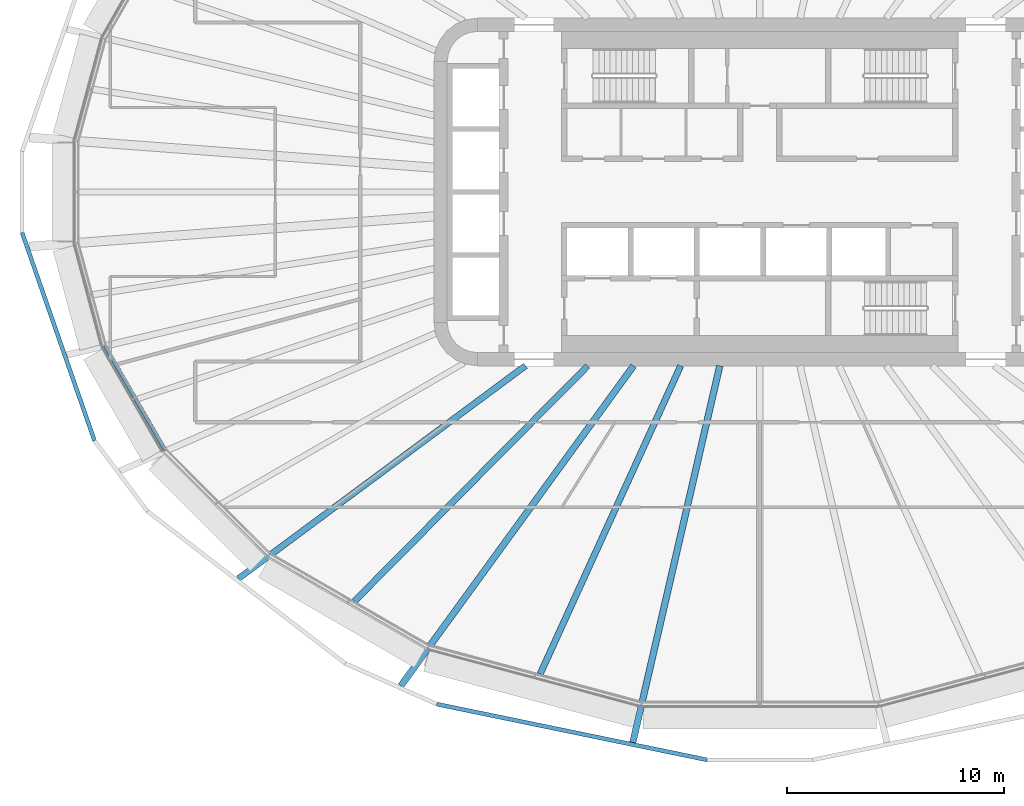
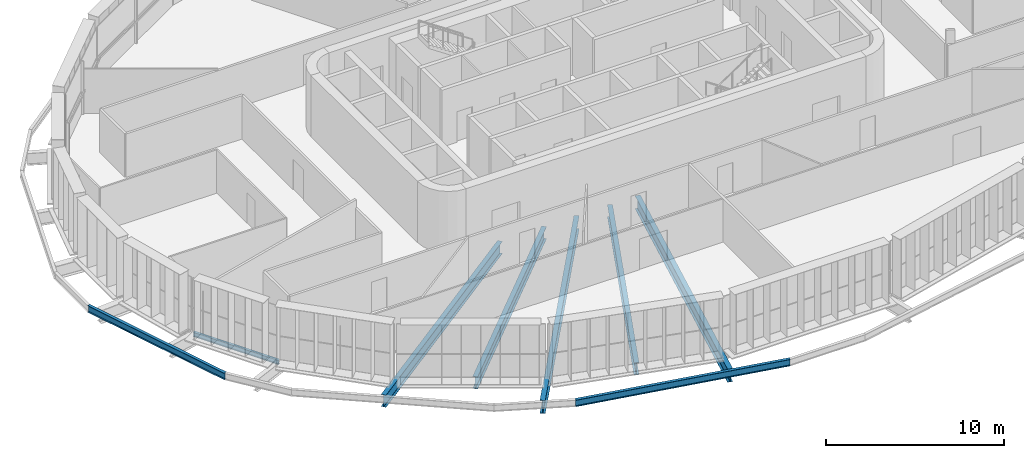
# One storey, part 2 of 25: 8 beams.
"""IFC4 building model written with IfcOpenShell, lengths in metres."""

from ifc_helpers import new_model, si_unit, direction, frame, origin, origin_2d, place, context, subcontext, project, spatial, i_section, extrude, material, material_profile, profile_set, type_object, element, save


model = new_model("IFC4")

# Units and contexts
model_context = context("Model", 3, precision=1e-05, world=origin(), true_north=direction((0.0, 1.0)))
body_context = subcontext(model_context, "Body", "Model", "MODEL_VIEW")
ifc_project = project(units=[si_unit("LENGTHUNIT", "METRE"), si_unit("AREAUNIT", "SQUARE_METRE"), si_unit("VOLUMEUNIT", "CUBIC_METRE"), si_unit("PLANEANGLEUNIT", "RADIAN"), si_unit("MASSUNIT", "GRAM", prefix="KILO")], contexts=[model_context])

# Site, building, storey
site_placement = place(None, origin())
site = spatial("IfcSite", under=ifc_project, at=site_placement, CompositionType="ELEMENT")
building_placement = place(site_placement, origin())
building = spatial("IfcBuilding", under=site, at=building_placement, Name="Sahrelin Media Tower", CompositionType="ELEMENT")
storey_placement = place(building_placement, frame((0.0, 0.0, 144.0)))
storey = spatial("IfcBuildingStorey", under=building, at=storey_placement, Name="L29", CompositionType="ELEMENT", Elevation=144.0)

# Beams
ifc_material = material(Name="Steel S355", Category="steel")
ifc_material_profile_1 = material_profile(ifc_material, i_section(OverallWidth=0.1650390625, OverallDepth=0.303466796875, WebThickness=0.006103515625, FlangeThickness=0.01025390625, FilletRadius=0.0087890625, at=origin_2d()), Name="UB 305x165x40")
ifc_profile_set_1 = profile_set([ifc_material_profile_1], Name="Steel S355")
beam_type_1 = type_object("IfcBeamType", Name="Edge beam EB2", PredefinedType="BEAM", material=ifc_profile_set_1)
beam_1_placement = place(storey_placement, frame((-27.382080078125, -11.880615234375, -0.3017578125), z_axis=(-0.500036242679, 0.866004478053, 0.0), x_axis=(-0.866004478053, -0.500036242679, 0.0)))
element("IfcBeam", 1, at=beam_1_placement, inside=storey, type_object=beam_type_1, Name="Edge beam L29-11", PredefinedType="BEAM", context=body_context, shape_type="SweptSolid", body=[
    extrude(i_section(OverallWidth=0.1650390625, OverallDepth=0.303466796875, WebThickness=0.006103515625, FlangeThickness=0.01025390625, FilletRadius=0.0087890625, at=origin_2d()), origin(), (0.0, 0.0, 1.0), 5.544921875),
])
ifc_material_profile_2 = material_profile(ifc_material, i_section(OverallWidth=0.291748046875, OverallDepth=0.8349609375, WebThickness=0.013916015625, FlangeThickness=0.018798828125, FilletRadius=0.017822265625, at=origin_2d()), Name="UB 838x292x176")
ifc_profile_set_2 = profile_set([ifc_material_profile_2], Name="Steel S355")
beam_type_2 = type_object("IfcBeamType", Name="Radial primary beam PB10", PredefinedType="BEAM", material=ifc_profile_set_2)
beam_2_placement = place(storey_placement, frame((-10.791015625, -8.0, -0.5673828125), z_axis=(-0.803315320736, -0.595553940017, 0.0), x_axis=(0.595553940017, -0.803315320736, 0.0)))
element("IfcBeam", 2, at=beam_2_placement, inside=storey, type_object=beam_type_2, Name="Radial beam L29-16", PredefinedType="BEAM", context=body_context, shape_type="SweptSolid", body=[
    extrude(i_section(OverallWidth=0.291748046875, OverallDepth=0.8349609375, WebThickness=0.013916015625, FlangeThickness=0.018798828125, FilletRadius=0.017822265625, at=origin_2d()), origin(), (0.0, 0.0, 1.0), 16.454833984375),
])
ifc_material_profile_3 = material_profile(ifc_material, i_section(OverallWidth=0.30322265625, OverallDepth=0.903076171875, WebThickness=0.01513671875, FlangeThickness=0.020263671875, FilletRadius=0.01904296875, at=origin_2d()), Name="UB 914x305x201")
ifc_profile_set_3 = profile_set([ifc_material_profile_3], Name="Steel S355")
beam_type_3 = type_object("IfcBeamType", Name="Radial primary beam PB11", PredefinedType="BEAM", material=ifc_profile_set_3)
beam_3_placement = place(storey_placement, frame((-5.81591796875, -8.0, -0.6015625), z_axis=(-0.588034674596, -0.808835719707, 0.0), x_axis=(0.808835719707, -0.588034674596, 0.0)))
element("IfcBeam", 3, at=beam_3_placement, inside=storey, type_object=beam_type_3, Name="Radial beam L29-17", PredefinedType="BEAM", context=body_context, shape_type="SweptSolid", body=[
    extrude(i_section(OverallWidth=0.30322265625, OverallDepth=0.903076171875, WebThickness=0.01513671875, FlangeThickness=0.020263671875, FilletRadius=0.01904296875, at=origin_2d()), origin(), (0.0, 0.0, 1.0), 18.22314453125),
])
beam_4_placement = place(storey_placement, frame((-1.846435546875, -8.0, -0.6015625), z_axis=(-0.224896572048, -0.97438264141, 0.0), x_axis=(0.97438264141, -0.224896572048, 0.0)))
element("IfcBeam", 4, at=beam_4_placement, inside=storey, type_object=beam_type_3, Name="Radial beam L29-18", PredefinedType="BEAM", context=body_context, shape_type="SweptSolid", body=[
    extrude(i_section(OverallWidth=0.30322265625, OverallDepth=0.903076171875, WebThickness=0.01513671875, FlangeThickness=0.020263671875, FilletRadius=0.01904296875, at=origin_2d()), origin(), (0.0, 0.0, 1.0), 17.799072265625),
])
ifc_material_profile_4 = material_profile(ifc_material, i_section(OverallWidth=0.291748046875, OverallDepth=0.8349609375, WebThickness=0.013916015625, FlangeThickness=0.018798828125, FilletRadius=0.017822265625, at=origin_2d()), Name="UB 838x292x176")
ifc_profile_set_4 = profile_set([ifc_material_profile_4], Name="Steel S355")
beam_type_4 = type_object("IfcBeamType", Name="Radial secondary beam SB10", PredefinedType="BEAM", material=ifc_profile_set_4)
beam_5_placement = place(storey_placement, frame((-7.92578125, -8.0, -0.5673828125), z_axis=(-0.703794822352, -0.710403299563, 0.0), x_axis=(0.710403299563, -0.703794822352, 0.0)))
element("IfcBeam", 5, at=beam_5_placement, inside=storey, type_object=beam_type_4, Name="Secondary beam L29-16", PredefinedType="BEAM", context=body_context, shape_type="SweptSolid", body=[
    extrude(i_section(OverallWidth=0.291748046875, OverallDepth=0.8349609375, WebThickness=0.013916015625, FlangeThickness=0.018798828125, FilletRadius=0.017822265625, at=origin_2d()), origin(), (0.0, 0.0, 1.0), 15.257568359375),
])
beam_6_placement = place(storey_placement, frame((-3.64697265625, -8.0, -0.5673828125), z_axis=(-0.414807797457, -0.909909056538, 0.0), x_axis=(0.909909056538, -0.414807797457, 0.0)))
element("IfcBeam", 6, at=beam_6_placement, inside=storey, type_object=beam_type_4, Name="Secondary beam L29-17", PredefinedType="BEAM", context=body_context, shape_type="SweptSolid", body=[
    extrude(i_section(OverallWidth=0.291748046875, OverallDepth=0.8349609375, WebThickness=0.013916015625, FlangeThickness=0.018798828125, FilletRadius=0.017822265625, at=origin_2d()), origin(), (0.0, 0.0, 1.0), 15.59228515625),
])
ifc_material_profile_5 = material_profile(ifc_material, i_section(OverallWidth=0.1904296875, OverallDepth=0.45703125, WebThickness=0.009033203125, FlangeThickness=0.014404296875, FilletRadius=0.01025390625, at=origin_2d()), Name="UB 457x191x74")
ifc_profile_set_5 = profile_set([ifc_material_profile_5], Name="Steel S355")
beam_type_5 = type_object("IfcBeamType", Name="Tie chord TC5", PredefinedType="BEAM", material=ifc_profile_set_5)
beam_7_placement = place(storey_placement, frame((-33.968505859375, -1.8701171875, -0.37841796875), z_axis=(0.32875951302, -0.944413671332, 0.0), x_axis=(0.944413671332, 0.32875951302, 0.0)))
element("IfcBeam", 7, at=beam_7_placement, inside=storey, type_object=beam_type_5, Name="Tie chord L29-13", PredefinedType="BEAM", context=body_context, shape_type="SweptSolid", body=[
    extrude(i_section(OverallWidth=0.1904296875, OverallDepth=0.45703125, WebThickness=0.009033203125, FlangeThickness=0.014404296875, FilletRadius=0.01025390625, at=origin_2d()), origin(), (0.0, 0.0, 1.0), 10.14697265625),
])
beam_8_placement = place(storey_placement, frame((-14.8798828125, -23.577880859375, -0.37841796875), z_axis=(0.979389379459, -0.201981294685, 0.0), x_axis=(0.201981294685, 0.979389379459, 0.0)))
element("IfcBeam", 8, at=beam_8_placement, inside=storey, type_object=beam_type_5, Name="Tie chord L29-17", PredefinedType="BEAM", context=body_context, shape_type="SweptSolid", body=[
    extrude(i_section(OverallWidth=0.1904296875, OverallDepth=0.45703125, WebThickness=0.009033203125, FlangeThickness=0.014404296875, FilletRadius=0.01025390625, at=origin_2d()), origin(), (0.0, 0.0, 1.0), 12.712158203125),
])

save(model, "model.ifc")
